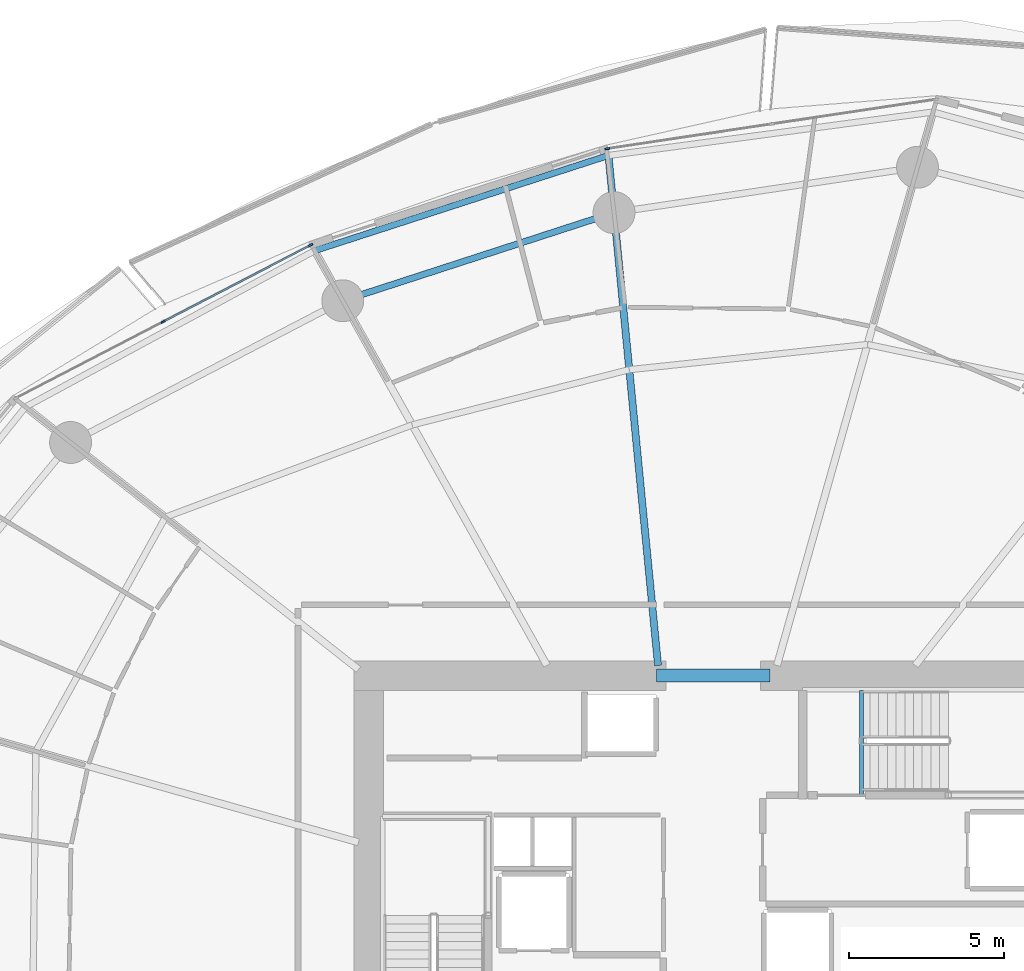
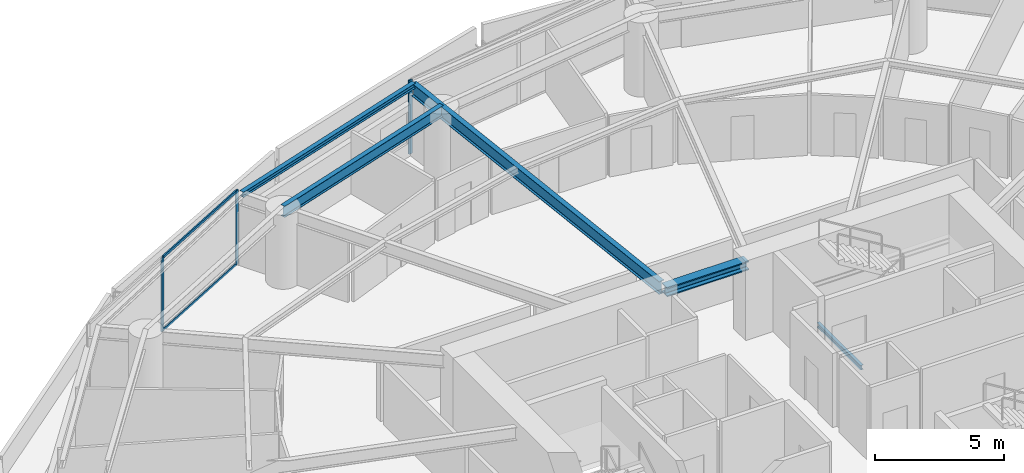
# One storey, part 13 of 31: 5 beams, 5 members, 2 elements without a shape of their own.
"""IFC4 building model written with IfcOpenShell, lengths in metres."""

import ifcopenshell
import ifcopenshell.guid

model = None  # the IFC model being written
_history = None  # IfcOwnerHistory: only IFC2X3 demands one
_inside = {}  # id of a spatial element -> (the spatial element, [elements in it])
_under = {}  # id of a project, library or spatial element -> (it, [spatial elements below it])
_declared = {}  # id of a project -> (the project, [libraries it declares])
_typed = {}  # id of a type object -> (the type object, [elements of that type])
_made_of = {}  # id of a material, layer set ... -> (it, [elements and type objects made of it])


def new_model(schema):
    """Start an empty IFC model of exactly this schema.

    Asked for "IFC4X3", IfcOpenShell would pick the latest addendum, in which some entities
    have other attributes; the version numbers below select the first issue.
    IFC2X3 requires an IfcOwnerHistory on every rooted entity: one is made here for all.
    """
    global model, _history
    if schema == "IFC4X3":
        model = ifcopenshell.file(schema_version=(4, 3, 0, 0))
    else:
        model = ifcopenshell.file(schema=schema)
    _inside.clear()
    _under.clear()
    _declared.clear()
    _typed.clear()
    _made_of.clear()
    _history = None
    if model.schema == "IFC2X3":
        org = make("IfcOrganization", Name="unknown")
        user = make(
            "IfcPersonAndOrganization",
            ThePerson=make("IfcPerson", FamilyName="unknown"),
            TheOrganization=org,
        )
        app = make(
            "IfcApplication",
            ApplicationDeveloper=org,
            Version="unknown",
            ApplicationFullName="unknown",
            ApplicationIdentifier="unknown",
        )
        _history = make(
            "IfcOwnerHistory",
            OwningUser=user,
            OwningApplication=app,
            ChangeAction="ADDED",
            CreationDate=0,
        )
    return model


def make(cls, **values):
    """One entity of the class cls with the attributes given. An attribute that is None is left unset."""
    return model.create_entity(
        cls, **{name: value for name, value in values.items() if value is not None}
    )


def rooted(cls, **values):
    """An entity with a GlobalId (a new one), such as an element, a storey or a relation."""
    return make(cls, GlobalId=ifcopenshell.guid.new(), OwnerHistory=_history, **values)


def si_unit(unit_type, name, prefix=None):
    """IfcSIUnit, for example si_unit("LENGTHUNIT", "METRE", prefix="MILLI")."""
    return make("IfcSIUnit", UnitType=unit_type, Prefix=prefix, Name=name)


def assignment(units):
    """IfcUnitAssignment: the units of a project."""
    return None if units is None else make("IfcUnitAssignment", Units=units)


def point(xyz):
    """IfcCartesianPoint."""
    return None if xyz is None else make("IfcCartesianPoint", Coordinates=xyz)


def direction(xyz):
    """IfcDirection."""
    return None if xyz is None else make("IfcDirection", DirectionRatios=xyz)


def frame(location, z_axis=None, x_axis=None):
    """IfcAxis2Placement3D, a coordinate frame: its origin and axes. An axis left out is left unset."""
    return make(
        "IfcAxis2Placement3D",
        Location=point(location),
        Axis=direction(z_axis),
        RefDirection=direction(x_axis),
    )


def frame_2d(location, x_axis=None):
    """IfcAxis2Placement2D, a coordinate frame in the plane: its origin and x axis."""
    return make(
        "IfcAxis2Placement2D", Location=point(location), RefDirection=direction(x_axis)
    )


def origin():
    """The frame at (0, 0, 0) with its axes left unset."""
    return frame((0.0, 0.0, 0.0))


def origin_2d():
    """The frame at (0, 0) in the plane with its x axis left unset."""
    return frame_2d((0.0, 0.0))


def place(relative_to, where):
    """IfcLocalPlacement: puts the frame where relative to a parent placement (None: the world)."""
    return make(
        "IfcLocalPlacement", PlacementRelTo=relative_to, RelativePlacement=where
    )


def context(
    kind, dimensions, precision=None, world=None, true_north=None, identifier=None
):
    """IfcGeometricRepresentationContext, for example the 3D "Model" context."""
    return make(
        "IfcGeometricRepresentationContext",
        ContextIdentifier=identifier,
        ContextType=kind,
        CoordinateSpaceDimension=dimensions,
        Precision=precision,
        WorldCoordinateSystem=world,
        TrueNorth=true_north,
    )


def subcontext(parent, identifier, kind, view, scale=None):
    """IfcGeometricRepresentationSubContext, for example "Body" below "Model"."""
    return make(
        "IfcGeometricRepresentationSubContext",
        ContextIdentifier=identifier,
        ContextType=kind,
        ParentContext=parent,
        TargetScale=scale,
        TargetView=view,
    )


def project(units=None, contexts=None):
    """IfcProject with its units and contexts."""
    return rooted(
        "IfcProject",
        Name="project",
        RepresentationContexts=contexts,
        UnitsInContext=assignment(units),
    )


def spatial(cls, under=None, at=None, **own):
    """A site, building, storey or space (cls), placed at a placement, below another one or the project."""
    s = rooted(cls, ObjectPlacement=at, **own)
    if under is not None:
        _under.setdefault(under.id(), (under, []))[1].append(s)
    return s


def profile(cls, at=None, kind="AREA", **sizes):
    """A parametric profile (cls). Its sizes go by their IFC names, for example OverallWidth=200.0."""
    return make(cls, ProfileType=kind, Position=at, **sizes)


def rectangle(**sizes):
    """IfcRectangleProfileDef."""
    return profile("IfcRectangleProfileDef", **sizes)


def i_section(**sizes):
    """IfcIShapeProfileDef."""
    return profile("IfcIShapeProfileDef", **sizes)


def extrude(swept, where, along, depth):
    """IfcExtrudedAreaSolid: the profile swept, set in the frame where, extruded along a direction by depth."""
    return make(
        "IfcExtrudedAreaSolid",
        SweptArea=swept,
        Position=where,
        ExtrudedDirection=direction(along),
        Depth=depth,
    )


def shape(context_of_items, identifier, shape_type, items):
    """IfcShapeRepresentation: the items that make up one representation, for example the "Body"."""
    return make(
        "IfcShapeRepresentation",
        ContextOfItems=context_of_items,
        RepresentationIdentifier=identifier,
        RepresentationType=shape_type,
        Items=items,
    )


def material(Name=None, Category=None):
    """IfcMaterial."""
    return make("IfcMaterial", Name=Name, Category=Category)


def layer(
    of_material, thickness, ventilated=None, Name=None, Category=None, Priority=None
):
    """IfcMaterialLayer: one layer of a wall or slab, of a material (None: an air gap)."""
    return make(
        "IfcMaterialLayer",
        Material=of_material,
        LayerThickness=thickness,
        IsVentilated=ventilated,
        Name=Name,
        Category=Category,
        Priority=Priority,
    )


def layer_set(layers, Name=None):
    """IfcMaterialLayerSet."""
    return make("IfcMaterialLayerSet", MaterialLayers=layers, LayerSetName=Name)


def material_profile(
    of_material, cross_section, Name=None, Category=None, Priority=None
):
    """IfcMaterialProfile: a cross section and its material."""
    return make(
        "IfcMaterialProfile",
        Name=Name,
        Material=of_material,
        Profile=cross_section,
        Priority=Priority,
        Category=Category,
    )


def profile_set(profiles, Name=None, composite=None):
    """IfcMaterialProfileSet."""
    return make(
        "IfcMaterialProfileSet",
        Name=Name,
        MaterialProfiles=profiles,
        CompositeProfile=composite,
    )


def made_of(thing, what):
    """Note that an element or type object is made of a material, layer set ...; save() writes the relation."""
    if what is not None:
        _made_of.setdefault(what.id(), (what, []))[1].append(thing)
    return thing


def type_object(cls, material=None, **own):
    """A type object (cls), such as IfcWallType, which elements share."""
    return made_of(rooted(cls, **own), material)


def element(
    cls,
    number,
    at=None,
    inside=None,
    cuts=None,
    type_object=None,
    material=None,
    context=None,
    identifier="Body",
    shape_type=None,
    held_by="IfcProductDefinitionShape",
    body=None,
    shapes=None,
    **own,
):
    """One element of the class cls, such as IfcWall. Its Tag is "e" and its number.

    at: its placement. inside: the storey or other place that contains it. cuts: it is an
    opening in that element (IfcRelVoidsElement). A single representation is given by context,
    identifier, shape_type and body (its items); several are given by shapes. held_by: the class
    of the entity that holds the representations. save() writes the other relations.
    """
    e = rooted(cls, Tag="e%d" % number, ObjectPlacement=at, **own)
    if body is not None:
        shapes = [shape(context, identifier, shape_type, body)]
    if shapes is not None:
        e.Representation = make(held_by, Representations=shapes)
    if inside is not None:
        _inside.setdefault(inside.id(), (inside, []))[1].append(e)
    if cuts is not None:
        rooted(
            "IfcRelVoidsElement", RelatingBuildingElement=cuts, RelatedOpeningElement=e
        )
    if type_object is not None:
        _typed.setdefault(type_object.id(), (type_object, []))[1].append(e)
    return made_of(e, material)


def aggregate(whole, parts):
    """IfcRelAggregates: a whole, such as a stair, and the parts it consists of."""
    return rooted("IfcRelAggregates", RelatingObject=whole, RelatedObjects=parts)


def save(model, path):
    """Write the relations noted so far, then the file.

    IfcRelAggregates (storeys below a building ...), IfcRelContainedInSpatialStructure (elements
    in a storey), IfcRelDefinesByType, IfcRelAssociatesMaterial and IfcRelDeclares: one each for
    every whole, place, type object, material and project.
    """
    for whole, parts in _under.values():
        aggregate(whole, parts)
    for where, things in _inside.values():
        rooted(
            "IfcRelContainedInSpatialStructure",
            RelatedElements=things,
            RelatingStructure=where,
        )
    for kind, things in _typed.values():
        rooted("IfcRelDefinesByType", RelatedObjects=things, RelatingType=kind)
    for what, things in _made_of.values():
        rooted("IfcRelAssociatesMaterial", RelatedObjects=things, RelatingMaterial=what)
    for by, libraries in _declared.values():
        rooted("IfcRelDeclares", RelatingContext=by, RelatedDefinitions=libraries)
    model.write(path)


model = new_model("IFC4")

# Units and contexts
model_context = context("Model", 3, precision=1e-05, world=origin(), true_north=direction((0.0, 1.0)))
body_context = subcontext(model_context, "Body", "Model", "MODEL_VIEW")
ifc_project = project(units=[si_unit("LENGTHUNIT", "METRE"), si_unit("AREAUNIT", "SQUARE_METRE"), si_unit("VOLUMEUNIT", "CUBIC_METRE"), si_unit("PLANEANGLEUNIT", "RADIAN"), si_unit("MASSUNIT", "GRAM", prefix="KILO")], contexts=[model_context])

# Site, building, storey
site_placement = place(None, origin())
site = spatial("IfcSite", under=ifc_project, at=site_placement, CompositionType="ELEMENT")
building_placement = place(site_placement, origin())
building = spatial("IfcBuilding", under=site, at=building_placement, Name="Kazma Halo Residences", CompositionType="ELEMENT")
storey_placement = place(building_placement, frame((0.0, 0.0, 33.89990234375)))
storey = spatial("IfcBuildingStorey", under=building, at=storey_placement, Name="L07", CompositionType="ELEMENT", Elevation=33.89990234375)

# Beams
ifc_material_1 = material(Name="Steel S355", Category="steel")
ifc_material_profile_1 = material_profile(ifc_material_1, i_section(OverallWidth=0.201904296875, OverallDepth=0.2470703125, WebThickness=0.00732421875, FlangeThickness=0.010986328125, FilletRadius=0.011962890625, at=origin_2d()), Name="W250x49.1")
ifc_profile_set_1 = profile_set([ifc_material_profile_1], Name="Steel S355")
beam_type_1 = type_object("IfcBeamType", Name="BM-BAL-CANT", PredefinedType="BEAM", material=ifc_profile_set_1)
beam_1_placement = place(storey_placement, frame((45.052734375, 67.230712890625, 3.376708984375), z_axis=(-0.951307246639, -0.308244257842, 0.0), x_axis=(0.308244257842, -0.951307246639, 0.0)))
element("IfcBeam", 1, at=beam_1_placement, inside=storey, type_object=beam_type_1, Name="L07 wave-balcony tie beam 04", PredefinedType="BEAM", context=body_context, shape_type="SweptSolid", body=[
    extrude(i_section(OverallWidth=0.201904296875, OverallDepth=0.2470703125, WebThickness=0.00732421875, FlangeThickness=0.010986328125, FilletRadius=0.011962890625, at=origin_2d()), origin(), (0.0, 0.0, 1.0), 9.949462890625),
])
ifc_material_profile_2 = material_profile(ifc_material_1, i_section(OverallWidth=0.408935546875, OverallDepth=0.425048828125, WebThickness=0.03271484375, FlangeThickness=0.052490234375, FilletRadius=0.02001953125, at=origin_2d()), Name="W360x421")
ifc_profile_set_2 = profile_set([ifc_material_profile_2], Name="Steel S355")
beam_type_2 = type_object("IfcBeamType", Name="BM-CORE-W360H", PredefinedType="BEAM", material=ifc_profile_set_2)
beam_2_placement = place(storey_placement, frame((46.60009765625, 50.47509765625, 3.28759765625), z_axis=(1.0, 0.0, 0.0), x_axis=(0.0, 1.0, 0.0)))
element("IfcBeam", 2, at=beam_2_placement, inside=storey, type_object=beam_type_2, Name="L07 core coupling beam N", PredefinedType="BEAM", context=body_context, shape_type="SweptSolid", body=[
    extrude(i_section(OverallWidth=0.408935546875, OverallDepth=0.425048828125, WebThickness=0.03271484375, FlangeThickness=0.052490234375, FilletRadius=0.02001953125, at=origin_2d()), origin(), (0.0, 0.0, 1.0), 3.64990234375),
])
ifc_material_profile_3 = material_profile(ifc_material_1, i_section(OverallWidth=0.22802734375, OverallDepth=0.60791015625, WebThickness=0.01123046875, FlangeThickness=0.017333984375, FilletRadius=0.01806640625, at=origin_2d()), Name="W610x113")
ifc_profile_set_3 = profile_set([ifc_material_profile_3], Name="Steel S355")
beam_type_3 = type_object("IfcBeamType", Name="BM-RAD-W610", PredefinedType="BEAM", material=ifc_profile_set_3)
beam_3_placement = place(storey_placement, frame((46.64990234375, 50.800048828125, 3.196044921875), z_axis=(-0.096750509471, 0.995308665147, 0.0), x_axis=(-0.995308665147, -0.096750509471, 0.0)))
element("IfcBeam", 3, at=beam_3_placement, inside=storey, type_object=beam_type_3, Name="L07 radial floor beam 04", PredefinedType="BEAM", context=body_context, shape_type="SweptSolid", body=[
    extrude(i_section(OverallWidth=0.22802734375, OverallDepth=0.60791015625, WebThickness=0.01123046875, FlangeThickness=0.017333984375, FilletRadius=0.01806640625, at=origin_2d()), origin(), (0.0, 0.0, 1.0), 16.508056640625),
])
ifc_material_profile_4 = material_profile(ifc_material_1, i_section(OverallWidth=0.208984375, OverallDepth=0.532958984375, WebThickness=0.01025390625, FlangeThickness=0.015625, FilletRadius=0.01611328125, at=origin_2d()), Name="W530x92")
ifc_profile_set_4 = profile_set([ifc_material_profile_4], Name="Steel S355")
beam_type_4 = type_object("IfcBeamType", Name="BM-SPN-W530", PredefinedType="BEAM", material=ifc_profile_set_4)
beam_4_placement = place(storey_placement, frame((45.231689453125, 65.389404296875, 3.233642578125), z_axis=(-0.951054956346, -0.309021795363, 0.0), x_axis=(0.309021795363, -0.951054956346, 0.0)))
element("IfcBeam", 4, at=beam_4_placement, inside=storey, type_object=beam_type_4, Name="L07 perimeter ring beam 04", PredefinedType="BEAM", context=body_context, shape_type="SweptSolid", body=[
    extrude(i_section(OverallWidth=0.208984375, OverallDepth=0.532958984375, WebThickness=0.01025390625, FlangeThickness=0.015625, FilletRadius=0.01611328125, at=origin_2d()), origin(), (0.0, 0.0, 1.0), 9.189697265625),
])
ifc_material_profile_5 = material_profile(ifc_material_1, i_section(OverallWidth=0.133056640625, OverallDepth=0.20703125, WebThickness=0.005859375, FlangeThickness=0.00830078125, FilletRadius=0.010009765625, at=origin_2d()), Name="W200x26.6")
ifc_profile_set_5 = profile_set([ifc_material_profile_5], Name="Steel S355")
beam_type_5 = type_object("IfcBeamType", Name="BM-TRIM-W200", PredefinedType="BEAM", material=ifc_profile_set_5)
beam_5_placement = place(storey_placement, frame((53.199951171875, 46.6201171875, -0.35986328125), z_axis=(0.0, 1.0, 0.0), x_axis=(-1.0, 0.0, 0.0)))
element("IfcBeam", 5, at=beam_5_placement, inside=storey, type_object=beam_type_5, Name="L07 ST-02 floor landing support beam", PredefinedType="BEAM", context=body_context, shape_type="SweptSolid", body=[
    extrude(i_section(OverallWidth=0.133056640625, OverallDepth=0.20703125, WebThickness=0.005859375, FlangeThickness=0.00830078125, FilletRadius=0.010009765625, at=origin_2d()), origin(), (0.0, 0.0, 1.0), 3.3798828125),
])

# Curtain wall, member
ifc_material_2 = material(Name="Aluminium AW-6063 T6 and Triple-Silver Low-E Glass", Category="aluminium")
ifc_layer = layer(ifc_material_2, 0.159912109375)
ifc_layer_set = layer_set([ifc_layer], Name="Aluminium AW-6063 T6 and Triple-Silver Low-E Glass")
curtain_wall_type = type_object("IfcCurtainWallType", Name="CW-SYS-2", PredefinedType="NOTDEFINED", material=ifc_layer_set)
curtain_wall_1_placement = place(storey_placement, origin())
curtain_wall_1 = element("IfcCurtainWall", 6, at=curtain_wall_1_placement, inside=storey, type_object=curtain_wall_type, Name="L07 unitised curtain wall B03", PredefinedType="NOTDEFINED")
ifc_material_3 = material(Name="Aluminium AW-6063 T6", Category="aluminium")
ifc_material_profile_6 = material_profile(ifc_material_3, rectangle(XDim=0.06005859375, YDim=0.159912109375, at=origin_2d()), Name="CWM-60x160")
ifc_profile_set_6 = profile_set([ifc_material_profile_6], Name="Aluminium AW-6063 T6")
member_type_1 = type_object("IfcMemberType", Name="CW-SYS-2-MUL", PredefinedType="MULLION", material=ifc_profile_set_6)
member_1_placement = place(storey_placement, frame((45.018310546875, 67.447509765625, 0.0), z_axis=(0.0, 0.0, 1.0), x_axis=(0.148657272805, -0.988888777994, 0.0)))
member_1 = element("IfcMember", 7, at=member_1_placement, type_object=member_type_1, Name="CWS-2 mullion 3", PredefinedType="MULLION", context=body_context, shape_type="SweptSolid", body=[
    extrude(rectangle(XDim=0.06005859375, YDim=0.159912109375, at=origin_2d()), origin(), (0.0, 0.0, 1.0), 3.5),
])
aggregate(curtain_wall_1, [member_1])

# Curtain wall, members
curtain_wall_2_placement = place(storey_placement, origin())
curtain_wall_2 = element("IfcCurtainWall", 8, at=curtain_wall_2_placement, inside=storey, type_object=curtain_wall_type, Name="L07 unitised curtain wall B05", PredefinedType="NOTDEFINED")
member_2_placement = place(storey_placement, frame((35.45458984375, 64.340087890625, 0.0), z_axis=(0.0, 0.0, 1.0), x_axis=(0.460995912628, -0.887402258584, 0.0)))
member_2 = element("IfcMember", 9, at=member_2_placement, type_object=member_type_1, Name="CWS-2 mullion 1", PredefinedType="MULLION", context=body_context, shape_type="SweptSolid", body=[
    extrude(rectangle(XDim=0.06005859375, YDim=0.159912109375, at=origin_2d()), origin(), (0.0, 0.0, 1.0), 3.5),
])
member_3_placement = place(storey_placement, frame((30.7080078125, 61.874267578125, 0.0), z_axis=(0.0, 0.0, 1.0), x_axis=(0.460995912628, -0.887402258584, 0.0)))
member_3 = element("IfcMember", 10, at=member_3_placement, type_object=member_type_1, Name="CWS-2 mullion 2", PredefinedType="MULLION", context=body_context, shape_type="SweptSolid", body=[
    extrude(rectangle(XDim=0.06005859375, YDim=0.159912109375, at=origin_2d()), origin(), (0.0, 0.0, 1.0), 3.5),
])
ifc_material_profile_7 = material_profile(ifc_material_3, rectangle(XDim=0.06005859375, YDim=0.1201171875, at=origin_2d()), Name="CWT-60x120")
ifc_profile_set_7 = profile_set([ifc_material_profile_7], Name="Aluminium AW-6063 T6")
member_type_2 = type_object("IfcMemberType", Name="CW-SYS-2-TRN", PredefinedType="USERDEFINED", material=ifc_profile_set_7)
member_4_placement = place(storey_placement, frame((35.427978515625, 64.326171875, 0.030029296875), z_axis=(-0.887414738583, -0.460971888238, 0.0), x_axis=(0.460971888238, -0.887414738583, 0.0)))
member_4 = element("IfcMember", 11, at=member_4_placement, type_object=member_type_2, Name="CWS-2 transom 1.1", ObjectType="TRANSOM", PredefinedType="USERDEFINED", context=body_context, shape_type="SweptSolid", body=[
    extrude(rectangle(XDim=0.06005859375, YDim=0.1201171875, at=origin_2d()), origin(), (0.0, 0.0, 1.0), 5.288818359375),
])
member_5_placement = place(storey_placement, frame((35.427978515625, 64.326171875, 3.47021484375), z_axis=(-0.887414738583, -0.460971888238, 0.0), x_axis=(0.460971888238, -0.887414738583, 0.0)))
member_5 = element("IfcMember", 12, at=member_5_placement, type_object=member_type_2, Name="CWS-2 transom 1.2", ObjectType="TRANSOM", PredefinedType="USERDEFINED", context=body_context, shape_type="SweptSolid", body=[
    extrude(rectangle(XDim=0.06005859375, YDim=0.1201171875, at=origin_2d()), origin(), (0.0, 0.0, 1.0), 5.288818359375),
])
aggregate(curtain_wall_2, [member_2, member_3, member_4, member_5])

save(model, "model.ifc")
